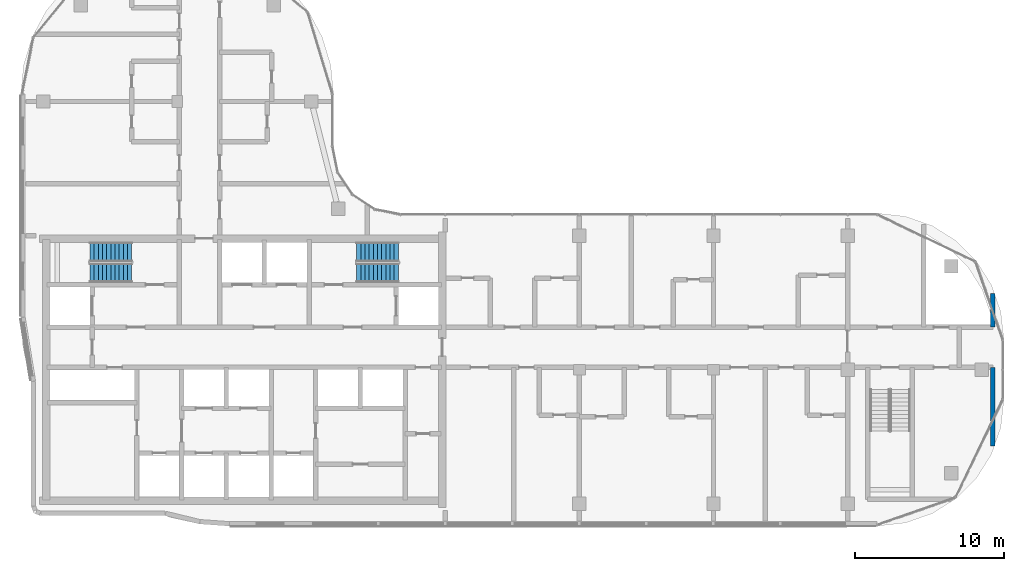
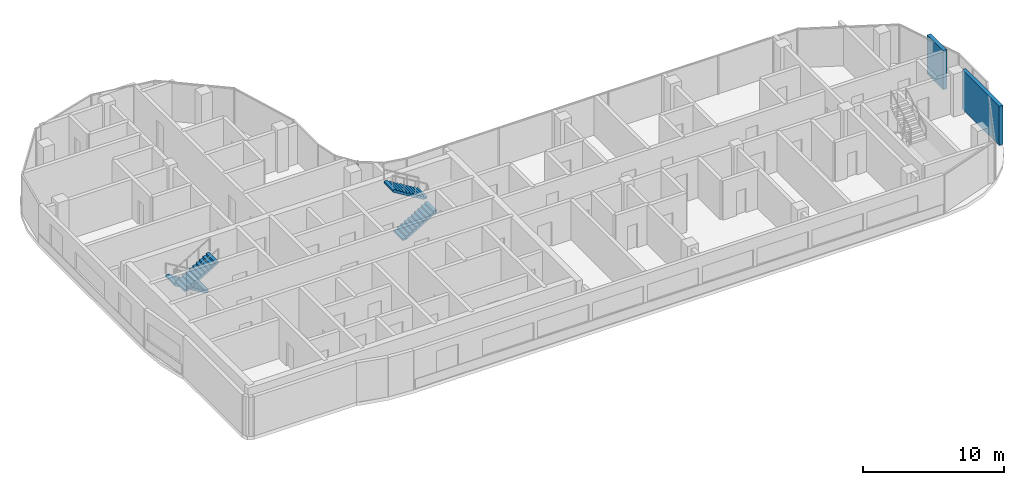
# One storey, part 14 of 19: 4 stair flights, 2 walls, 2 elements without a shape of their own.
"""IFC4 building model written with IfcOpenShell, lengths in metres."""

from ifc_helpers import new_model, si_unit, direction, frame, frame_2d, origin, place, context, subcontext, project, spatial, rectangle, extrude, triangles, source, transform, mapped, material, layer, layer_set, type_object, element, aggregate, save


model = new_model("IFC4")

# Units and contexts
model_context = context("Model", 3, precision=1e-05, world=origin(), true_north=direction((0.0, 1.0)))
body_context = subcontext(model_context, "Body", "Model", "MODEL_VIEW")
ifc_project = project(units=[si_unit("LENGTHUNIT", "METRE"), si_unit("AREAUNIT", "SQUARE_METRE"), si_unit("VOLUMEUNIT", "CUBIC_METRE"), si_unit("PLANEANGLEUNIT", "RADIAN"), si_unit("MASSUNIT", "GRAM", prefix="KILO")], contexts=[model_context])

# Site, building, storey
site_placement = place(None, origin())
site = spatial("IfcSite", under=ifc_project, at=site_placement, CompositionType="ELEMENT")
building_placement = place(site_placement, origin())
building = spatial("IfcBuilding", under=site, at=building_placement, Name="Ogive Portal Towers", CompositionType="ELEMENT")
storey_placement = place(building_placement, frame((0.0, 0.0, 229.10009765625)))
storey = spatial("IfcBuildingStorey", under=building, at=storey_placement, Name="L57", CompositionType="ELEMENT", Elevation=229.10009765625)

# Walls
ifc_material_1 = material(Name="Gypsum board partition on steel studs", Category="steel")
ifc_layer = layer(ifc_material_1, 0.300048828125)
ifc_layer_set = layer_set([ifc_layer], Name="WT-PART-300-EI 60")
wall_type = type_object("IfcWallType", Name="WT-PART-300-EI 60", PredefinedType="PARTITIONING", material=ifc_layer_set)
wall_1_placement = place(storey_placement, frame((95.25, 25.386962890625, 0.0), z_axis=(0.0, 0.0, 1.0), x_axis=(0.0, 1.0, 0.0)))
element("IfcWall", 1, at=wall_1_placement, inside=storey, type_object=wall_type, Name="Wall L57:w056", PredefinedType="PARTITIONING", context=body_context, shape_type="SweptSolid", body=[
    extrude(rectangle(XDim=5.262939453125, YDim=0.300048828125, at=frame_2d((2.63134765625, 0.0))), origin(), (0.0, 0.0, 1.0), 3.39990234375),
])
wall_2_placement = place(storey_placement, frame((95.25, 33.35009765625, 0.0), z_axis=(0.0, 0.0, 1.0), x_axis=(0.0, 1.0, 0.0)))
element("IfcWall", 2, at=wall_2_placement, inside=storey, type_object=wall_type, Name="Wall L57:w057", PredefinedType="PARTITIONING", context=body_context, shape_type="SweptSolid", body=[
    extrude(rectangle(XDim=2.262939453125, YDim=0.300048828125, at=frame_2d((1.13134765625, 0.0))), origin(), (0.0, 0.0, 1.0), 3.39990234375),
])

# Stair, stair flights
ifc_material_2 = material(Name="Concrete C40/50", Category="concrete")
stair_type = type_object("IfcStairType", Name="INT-STAIR", PredefinedType="HALF_TURN_STAIR", material=ifc_material_2)
stair_1_placement = place(storey_placement, origin())
stair_1 = element("IfcStair", 3, at=stair_1_placement, inside=storey, type_object=stair_type, Name="L57 Exit Stair ST-A1", PredefinedType="HALF_TURN_STAIR")
stair_flight_type = type_object("IfcStairFlightType", Name="INT-FLIGHT", PredefinedType="STRAIGHT", material=ifc_material_2)
shared_shape = source(origin(), body_context, "Body", "Tessellation", [
    triangles([(0.0, -0.650146484375, 0.0), (0.0, -0.376220703125, 0.0), (0.0, -0.192626953125, 0.0), (0.0, -0.081298828125, 0.0), (0.0, -0.024169921875, 0.0), (0.0, -0.003173828125, 0.0), (0.0, 0.0, 0.0), (0.0, 0.0029296875, 0.0), (0.0, 0.02392578125, 0.0), (0.0, 0.0810546875, 0.0), (0.0, 0.1923828125, 0.0), (0.0, 0.3759765625, 0.0), (0.0, 0.64990234375, 0.0), (0.0, -0.650146484375, 0.168212890625), (0.0, -0.376220703125, 0.168212890625), (0.0, -0.192626953125, 0.168212890625), (0.0, -0.081298828125, 0.168212890625), (0.0, -0.024169921875, 0.168212890625), (0.0, -0.003173828125, 0.168212890625), (0.0, 0.0, 0.168212890625), (0.0, 0.0029296875, 0.168212890625), (0.0, 0.02392578125, 0.168212890625), (0.0, 0.0810546875, 0.168212890625), (0.0, 0.1923828125, 0.168212890625), (0.0, 0.3759765625, 0.168212890625), (0.0, 0.64990234375, 0.168212890625), (0.280029296875, -0.650146484375, 0.168212890625), (0.280029296875, -0.376220703125, 0.168212890625), (0.280029296875, -0.192626953125, 0.168212890625), (0.280029296875, -0.081298828125, 0.168212890625), (0.280029296875, -0.024169921875, 0.168212890625), (0.280029296875, -0.003173828125, 0.168212890625), (0.280029296875, 0.0, 0.168212890625), (0.280029296875, 0.0029296875, 0.168212890625), (0.280029296875, 0.02392578125, 0.168212890625), (0.280029296875, 0.0810546875, 0.168212890625), (0.280029296875, 0.1923828125, 0.168212890625), (0.280029296875, 0.3759765625, 0.168212890625), (0.280029296875, 0.64990234375, 0.168212890625), (0.280029296875, -0.650146484375, 0.33642578125), (0.280029296875, -0.376220703125, 0.33642578125), (0.280029296875, -0.192626953125, 0.33642578125), (0.280029296875, -0.081298828125, 0.33642578125), (0.280029296875, -0.024169921875, 0.33642578125), (0.280029296875, -0.003173828125, 0.33642578125), (0.280029296875, 0.0, 0.33642578125), (0.280029296875, 0.0029296875, 0.33642578125), (0.280029296875, 0.02392578125, 0.33642578125), (0.280029296875, 0.0810546875, 0.33642578125), (0.280029296875, 0.1923828125, 0.33642578125), (0.280029296875, 0.3759765625, 0.33642578125), (0.280029296875, 0.64990234375, 0.33642578125), (0.56005859375, -0.650146484375, 0.33642578125), (0.56005859375, -0.376220703125, 0.33642578125), (0.56005859375, -0.192626953125, 0.33642578125), (0.56005859375, -0.081298828125, 0.33642578125), (0.56005859375, -0.024169921875, 0.33642578125), (0.56005859375, -0.003173828125, 0.33642578125), (0.56005859375, 0.0, 0.33642578125), (0.56005859375, 0.0029296875, 0.33642578125), (0.56005859375, 0.02392578125, 0.33642578125), (0.56005859375, 0.0810546875, 0.33642578125), (0.56005859375, 0.1923828125, 0.33642578125), (0.56005859375, 0.3759765625, 0.33642578125), (0.56005859375, 0.64990234375, 0.33642578125), (0.56005859375, -0.650146484375, 0.504638671875), (0.56005859375, -0.376220703125, 0.504638671875), (0.56005859375, -0.192626953125, 0.504638671875), (0.56005859375, -0.081298828125, 0.504638671875), (0.56005859375, -0.024169921875, 0.504638671875), (0.56005859375, -0.003173828125, 0.504638671875), (0.56005859375, 0.0, 0.504638671875), (0.56005859375, 0.0029296875, 0.504638671875), (0.56005859375, 0.02392578125, 0.504638671875), (0.56005859375, 0.0810546875, 0.504638671875), (0.56005859375, 0.1923828125, 0.504638671875), (0.56005859375, 0.3759765625, 0.504638671875), (0.56005859375, 0.64990234375, 0.504638671875), (0.840087890625, -0.650146484375, 0.504638671875), (0.840087890625, -0.376220703125, 0.504638671875), (0.840087890625, -0.192626953125, 0.504638671875), (0.840087890625, -0.081298828125, 0.504638671875), (0.840087890625, -0.024169921875, 0.504638671875), (0.840087890625, -0.003173828125, 0.504638671875), (0.840087890625, 0.0, 0.504638671875), (0.840087890625, 0.0029296875, 0.504638671875), (0.840087890625, 0.02392578125, 0.504638671875), (0.840087890625, 0.0810546875, 0.504638671875), (0.840087890625, 0.1923828125, 0.504638671875), (0.840087890625, 0.3759765625, 0.504638671875), (0.840087890625, 0.64990234375, 0.504638671875), (0.840087890625, -0.650146484375, 0.672607421875), (0.840087890625, -0.376220703125, 0.672607421875), (0.840087890625, -0.192626953125, 0.672607421875), (0.840087890625, -0.081298828125, 0.672607421875), (0.840087890625, -0.024169921875, 0.672607421875), (0.840087890625, -0.003173828125, 0.672607421875), (0.840087890625, 0.0, 0.672607421875), (0.840087890625, 0.0029296875, 0.672607421875), (0.840087890625, 0.02392578125, 0.672607421875), (0.840087890625, 0.0810546875, 0.672607421875), (0.840087890625, 0.1923828125, 0.672607421875), (0.840087890625, 0.3759765625, 0.672607421875), (0.840087890625, 0.64990234375, 0.672607421875), (1.1201171875, -0.650146484375, 0.672607421875), (1.1201171875, -0.376220703125, 0.672607421875), (1.1201171875, -0.192626953125, 0.672607421875), (1.1201171875, -0.081298828125, 0.672607421875), (1.1201171875, -0.024169921875, 0.672607421875), (1.1201171875, -0.003173828125, 0.672607421875), (1.1201171875, 0.0, 0.672607421875), (1.1201171875, 0.0029296875, 0.672607421875), (1.1201171875, 0.02392578125, 0.672607421875), (1.1201171875, 0.0810546875, 0.672607421875), (1.1201171875, 0.1923828125, 0.672607421875), (1.1201171875, 0.3759765625, 0.672607421875), (1.1201171875, 0.64990234375, 0.672607421875), (1.1201171875, -0.650146484375, 0.8408203125), (1.1201171875, -0.376220703125, 0.8408203125), (1.1201171875, -0.192626953125, 0.8408203125), (1.1201171875, -0.081298828125, 0.8408203125), (1.1201171875, -0.024169921875, 0.8408203125), (1.1201171875, -0.003173828125, 0.8408203125), (1.1201171875, 0.0, 0.8408203125), (1.1201171875, 0.0029296875, 0.8408203125), (1.1201171875, 0.02392578125, 0.8408203125), (1.1201171875, 0.0810546875, 0.8408203125), (1.1201171875, 0.1923828125, 0.8408203125), (1.1201171875, 0.3759765625, 0.8408203125), (1.1201171875, 0.64990234375, 0.8408203125), (1.39990234375, -0.650146484375, 0.8408203125), (1.39990234375, -0.376220703125, 0.8408203125), (1.39990234375, -0.192626953125, 0.8408203125), (1.39990234375, -0.081298828125, 0.8408203125), (1.39990234375, -0.024169921875, 0.8408203125), (1.39990234375, -0.003173828125, 0.8408203125), (1.39990234375, 0.0, 0.8408203125), (1.39990234375, 0.0029296875, 0.8408203125), (1.39990234375, 0.02392578125, 0.8408203125), (1.39990234375, 0.0810546875, 0.8408203125), (1.39990234375, 0.1923828125, 0.8408203125), (1.39990234375, 0.3759765625, 0.8408203125), (1.39990234375, 0.64990234375, 0.8408203125), (1.39990234375, -0.650146484375, 1.009033203125), (1.39990234375, -0.376220703125, 1.009033203125), (1.39990234375, -0.192626953125, 1.009033203125), (1.39990234375, -0.081298828125, 1.009033203125), (1.39990234375, -0.024169921875, 1.009033203125), (1.39990234375, -0.003173828125, 1.009033203125), (1.39990234375, 0.0, 1.009033203125), (1.39990234375, 0.0029296875, 1.009033203125), (1.39990234375, 0.02392578125, 1.009033203125), (1.39990234375, 0.0810546875, 1.009033203125), (1.39990234375, 0.1923828125, 1.009033203125), (1.39990234375, 0.3759765625, 1.009033203125), (1.39990234375, 0.64990234375, 1.009033203125), (1.679931640625, -0.650146484375, 1.009033203125), (1.679931640625, -0.376220703125, 1.009033203125), (1.679931640625, -0.192626953125, 1.009033203125), (1.679931640625, -0.081298828125, 1.009033203125), (1.679931640625, -0.024169921875, 1.009033203125), (1.679931640625, -0.003173828125, 1.009033203125), (1.679931640625, 0.0, 1.009033203125), (1.679931640625, 0.0029296875, 1.009033203125), (1.679931640625, 0.02392578125, 1.009033203125), (1.679931640625, 0.0810546875, 1.009033203125), (1.679931640625, 0.1923828125, 1.009033203125), (1.679931640625, 0.3759765625, 1.009033203125), (1.679931640625, 0.64990234375, 1.009033203125), (1.679931640625, -0.650146484375, 1.17724609375), (1.679931640625, -0.376220703125, 1.17724609375), (1.679931640625, -0.192626953125, 1.17724609375), (1.679931640625, -0.081298828125, 1.17724609375), (1.679931640625, -0.024169921875, 1.17724609375), (1.679931640625, -0.003173828125, 1.17724609375), (1.679931640625, 0.0, 1.17724609375), (1.679931640625, 0.0029296875, 1.17724609375), (1.679931640625, 0.02392578125, 1.17724609375), (1.679931640625, 0.0810546875, 1.17724609375), (1.679931640625, 0.1923828125, 1.17724609375), (1.679931640625, 0.3759765625, 1.17724609375), (1.679931640625, 0.64990234375, 1.17724609375), (1.9599609375, -0.650146484375, 1.17724609375), (1.9599609375, -0.376220703125, 1.17724609375), (1.9599609375, -0.192626953125, 1.17724609375), (1.9599609375, -0.081298828125, 1.17724609375), (1.9599609375, -0.024169921875, 1.17724609375), (1.9599609375, -0.003173828125, 1.17724609375), (1.9599609375, 0.0, 1.17724609375), (1.9599609375, 0.0029296875, 1.17724609375), (1.9599609375, 0.02392578125, 1.17724609375), (1.9599609375, 0.0810546875, 1.17724609375), (1.9599609375, 0.1923828125, 1.17724609375), (1.9599609375, 0.3759765625, 1.17724609375), (1.9599609375, 0.64990234375, 1.17724609375), (1.9599609375, -0.650146484375, 1.345458984375), (1.9599609375, -0.376220703125, 1.345458984375), (1.9599609375, -0.192626953125, 1.345458984375), (1.9599609375, -0.081298828125, 1.345458984375), (1.9599609375, -0.024169921875, 1.345458984375), (1.9599609375, -0.003173828125, 1.345458984375), (1.9599609375, 0.0, 1.345458984375), (1.9599609375, 0.0029296875, 1.345458984375), (1.9599609375, 0.02392578125, 1.345458984375), (1.9599609375, 0.0810546875, 1.345458984375), (1.9599609375, 0.1923828125, 1.345458984375), (1.9599609375, 0.3759765625, 1.345458984375), (1.9599609375, 0.64990234375, 1.345458984375), (2.239990234375, -0.650146484375, 1.345458984375), (2.239990234375, -0.376220703125, 1.345458984375), (2.239990234375, -0.192626953125, 1.345458984375), (2.239990234375, -0.081298828125, 1.345458984375), (2.239990234375, -0.024169921875, 1.345458984375), (2.239990234375, -0.003173828125, 1.345458984375), (2.239990234375, 0.0, 1.345458984375), (2.239990234375, 0.0029296875, 1.345458984375), (2.239990234375, 0.02392578125, 1.345458984375), (2.239990234375, 0.0810546875, 1.345458984375), (2.239990234375, 0.1923828125, 1.345458984375), (2.239990234375, 0.3759765625, 1.345458984375), (2.239990234375, 0.64990234375, 1.345458984375), (2.239990234375, -0.650146484375, 1.513671875), (2.239990234375, -0.376220703125, 1.513671875), (2.239990234375, -0.192626953125, 1.513671875), (2.239990234375, -0.081298828125, 1.513671875), (2.239990234375, -0.024169921875, 1.513671875), (2.239990234375, -0.003173828125, 1.513671875), (2.239990234375, 0.0, 1.513671875), (2.239990234375, 0.0029296875, 1.513671875), (2.239990234375, 0.02392578125, 1.513671875), (2.239990234375, 0.0810546875, 1.513671875), (2.239990234375, 0.1923828125, 1.513671875), (2.239990234375, 0.3759765625, 1.513671875), (2.239990234375, 0.64990234375, 1.513671875), (2.52001953125, -0.650146484375, 1.513671875), (2.52001953125, -0.376220703125, 1.513671875), (2.52001953125, -0.192626953125, 1.513671875), (2.52001953125, -0.081298828125, 1.513671875), (2.52001953125, -0.024169921875, 1.513671875), (2.52001953125, -0.003173828125, 1.513671875), (2.52001953125, 0.0, 1.513671875), (2.52001953125, 0.0029296875, 1.513671875), (2.52001953125, 0.02392578125, 1.513671875), (2.52001953125, 0.0810546875, 1.513671875), (2.52001953125, 0.1923828125, 1.513671875), (2.52001953125, 0.3759765625, 1.513671875), (2.52001953125, 0.64990234375, 1.513671875), (2.52001953125, -0.650146484375, 1.681884765625), (2.52001953125, -0.376220703125, 1.681884765625), (2.52001953125, -0.192626953125, 1.681884765625), (2.52001953125, -0.081298828125, 1.681884765625), (2.52001953125, -0.024169921875, 1.681884765625), (2.52001953125, -0.003173828125, 1.681884765625), (2.52001953125, 0.0, 1.681884765625), (2.52001953125, 0.0029296875, 1.681884765625), (2.52001953125, 0.02392578125, 1.681884765625), (2.52001953125, 0.0810546875, 1.681884765625), (2.52001953125, 0.1923828125, 1.681884765625), (2.52001953125, 0.3759765625, 1.681884765625), (2.52001953125, 0.64990234375, 1.681884765625), (2.800048828125, -0.650146484375, 1.681884765625), (2.800048828125, -0.376220703125, 1.681884765625), (2.800048828125, -0.192626953125, 1.681884765625), (2.800048828125, -0.081298828125, 1.681884765625), (2.800048828125, -0.024169921875, 1.681884765625), (2.800048828125, -0.003173828125, 1.681884765625), (2.800048828125, 0.0, 1.681884765625), (2.800048828125, 0.0029296875, 1.681884765625), (2.800048828125, 0.02392578125, 1.681884765625), (2.800048828125, 0.0810546875, 1.681884765625), (2.800048828125, 0.1923828125, 1.681884765625), (2.800048828125, 0.3759765625, 1.681884765625), (2.800048828125, 0.64990234375, 1.681884765625), (2.800048828125, -0.650146484375, 1.5068359375), (2.800048828125, -0.376220703125, 1.5068359375), (2.800048828125, -0.192626953125, 1.5068359375), (2.800048828125, -0.081298828125, 1.5068359375), (2.800048828125, -0.024169921875, 1.5068359375), (2.800048828125, -0.003173828125, 1.5068359375), (2.800048828125, 0.0, 1.5068359375), (2.800048828125, 0.0029296875, 1.5068359375), (2.800048828125, 0.02392578125, 1.5068359375), (2.800048828125, 0.0810546875, 1.5068359375), (2.800048828125, 0.1923828125, 1.5068359375), (2.800048828125, 0.3759765625, 1.5068359375), (2.800048828125, 0.64990234375, 1.5068359375), (0.291015625, -0.650146484375, 0.0), (0.291015625, -0.376220703125, 0.0), (0.291015625, -0.192626953125, 0.0), (0.291015625, -0.081298828125, 0.0), (0.291015625, -0.024169921875, 0.0), (0.291015625, -0.003173828125, 0.0), (0.291015625, 0.0, 0.0), (0.291015625, 0.0029296875, 0.0), (0.291015625, 0.02392578125, 0.0), (0.291015625, 0.0810546875, 0.0), (0.291015625, 0.1923828125, 0.0), (0.291015625, 0.3759765625, 0.0), (0.291015625, 0.64990234375, 0.0)], [[1, 14, 15], [1, 15, 2], [2, 15, 16], [2, 16, 3], [3, 16, 17], [3, 17, 4], [4, 17, 18], [4, 18, 5], [5, 18, 19], [5, 19, 6], [6, 19, 20], [6, 20, 7], [7, 20, 21], [7, 21, 8], [8, 21, 22], [8, 22, 9], [9, 22, 23], [9, 23, 10], [10, 23, 24], [10, 24, 11], [11, 24, 25], [11, 25, 12], [12, 25, 26], [12, 26, 13], [14, 27, 28], [14, 28, 15], [15, 28, 29], [15, 29, 16], [16, 29, 30], [16, 30, 17], [17, 30, 31], [17, 31, 18], [18, 31, 32], [18, 32, 19], [19, 32, 33], [19, 33, 20], [20, 33, 34], [20, 34, 21], [21, 34, 35], [21, 35, 22], [22, 35, 36], [22, 36, 23], [23, 36, 37], [23, 37, 24], [24, 37, 38], [24, 38, 25], [25, 38, 39], [25, 39, 26], [27, 40, 41], [27, 41, 28], [28, 41, 42], [28, 42, 29], [29, 42, 43], [29, 43, 30], [30, 43, 44], [30, 44, 31], [31, 44, 45], [31, 45, 32], [32, 45, 46], [32, 46, 33], [33, 46, 47], [33, 47, 34], [34, 47, 48], [34, 48, 35], [35, 48, 49], [35, 49, 36], [36, 49, 50], [36, 50, 37], [37, 50, 51], [37, 51, 38], [38, 51, 52], [38, 52, 39], [40, 53, 54], [40, 54, 41], [41, 54, 55], [41, 55, 42], [42, 55, 56], [42, 56, 43], [43, 56, 57], [43, 57, 44], [44, 57, 58], [44, 58, 45], [45, 58, 59], [45, 59, 46], [46, 59, 60], [46, 60, 47], [47, 60, 61], [47, 61, 48], [48, 61, 62], [48, 62, 49], [49, 62, 63], [49, 63, 50], [50, 63, 64], [50, 64, 51], [51, 64, 65], [51, 65, 52], [53, 66, 67], [53, 67, 54], [54, 67, 68], [54, 68, 55], [55, 68, 69], [55, 69, 56], [56, 69, 70], [56, 70, 57], [57, 70, 71], [57, 71, 58], [58, 71, 72], [58, 72, 59], [59, 72, 73], [59, 73, 60], [60, 73, 74], [60, 74, 61], [61, 74, 75], [61, 75, 62], [62, 75, 76], [62, 76, 63], [63, 76, 77], [63, 77, 64], [64, 77, 78], [64, 78, 65], [66, 79, 80], [66, 80, 67], [67, 80, 81], [67, 81, 68], [68, 81, 82], [68, 82, 69], [69, 82, 83], [69, 83, 70], [70, 83, 84], [70, 84, 71], [71, 84, 85], [71, 85, 72], [72, 85, 86], [72, 86, 73], [73, 86, 87], [73, 87, 74], [74, 87, 88], [74, 88, 75], [75, 88, 89], [75, 89, 76], [76, 89, 90], [76, 90, 77], [77, 90, 91], [77, 91, 78], [79, 92, 93], [79, 93, 80], [80, 93, 94], [80, 94, 81], [81, 94, 95], [81, 95, 82], [82, 95, 96], [82, 96, 83], [83, 96, 97], [83, 97, 84], [84, 97, 98], [84, 98, 85], [85, 98, 99], [85, 99, 86], [86, 99, 100], [86, 100, 87], [87, 100, 101], [87, 101, 88], [88, 101, 102], [88, 102, 89], [89, 102, 103], [89, 103, 90], [90, 103, 104], [90, 104, 91], [92, 105, 106], [92, 106, 93], [93, 106, 107], [93, 107, 94], [94, 107, 108], [94, 108, 95], [95, 108, 109], [95, 109, 96], [96, 109, 110], [96, 110, 97], [97, 110, 111], [97, 111, 98], [98, 111, 112], [98, 112, 99], [99, 112, 113], [99, 113, 100], [100, 113, 114], [100, 114, 101], [101, 114, 115], [101, 115, 102], [102, 115, 116], [102, 116, 103], [103, 116, 117], [103, 117, 104], [105, 118, 119], [105, 119, 106], [106, 119, 120], [106, 120, 107], [107, 120, 121], [107, 121, 108], [108, 121, 122], [108, 122, 109], [109, 122, 123], [109, 123, 110], [110, 123, 124], [110, 124, 111], [111, 124, 125], [111, 125, 112], [112, 125, 126], [112, 126, 113], [113, 126, 127], [113, 127, 114], [114, 127, 128], [114, 128, 115], [115, 128, 129], [115, 129, 116], [116, 129, 130], [116, 130, 117], [118, 131, 132], [118, 132, 119], [119, 132, 133], [119, 133, 120], [120, 133, 134], [120, 134, 121], [121, 134, 135], [121, 135, 122], [122, 135, 136], [122, 136, 123], [123, 136, 137], [123, 137, 124], [124, 137, 138], [124, 138, 125], [125, 138, 139], [125, 139, 126], [126, 139, 140], [126, 140, 127], [127, 140, 141], [127, 141, 128], [128, 141, 142], [128, 142, 129], [129, 142, 143], [129, 143, 130], [131, 144, 145], [131, 145, 132], [132, 145, 146], [132, 146, 133], [133, 146, 147], [133, 147, 134], [134, 147, 148], [134, 148, 135], [135, 148, 149], [135, 149, 136], [136, 149, 150], [136, 150, 137], [137, 150, 151], [137, 151, 138], [138, 151, 152], [138, 152, 139], [139, 152, 153], [139, 153, 140], [140, 153, 154], [140, 154, 141], [141, 154, 155], [141, 155, 142], [142, 155, 156], [142, 156, 143], [144, 157, 158], [144, 158, 145], [145, 158, 159], [145, 159, 146], [146, 159, 160], [146, 160, 147], [147, 160, 161], [147, 161, 148], [148, 161, 162], [148, 162, 149], [149, 162, 163], [149, 163, 150], [150, 163, 164], [150, 164, 151], [151, 164, 165], [151, 165, 152], [152, 165, 166], [152, 166, 153], [153, 166, 167], [153, 167, 154], [154, 167, 168], [154, 168, 155], [155, 168, 169], [155, 169, 156], [157, 170, 171], [157, 171, 158], [158, 171, 172], [158, 172, 159], [159, 172, 173], [159, 173, 160], [160, 173, 174], [160, 174, 161], [161, 174, 175], [161, 175, 162], [162, 175, 176], [162, 176, 163], [163, 176, 177], [163, 177, 164], [164, 177, 178], [164, 178, 165], [165, 178, 179], [165, 179, 166], [166, 179, 180], [166, 180, 167], [167, 180, 181], [167, 181, 168], [168, 181, 182], [168, 182, 169], [170, 183, 184], [170, 184, 171], [171, 184, 185], [171, 185, 172], [172, 185, 186], [172, 186, 173], [173, 186, 187], [173, 187, 174], [174, 187, 188], [174, 188, 175], [175, 188, 189], [175, 189, 176], [176, 189, 190], [176, 190, 177], [177, 190, 191], [177, 191, 178], [178, 191, 192], [178, 192, 179], [179, 192, 193], [179, 193, 180], [180, 193, 194], [180, 194, 181], [181, 194, 195], [181, 195, 182], [183, 196, 197], [183, 197, 184], [184, 197, 198], [184, 198, 185], [185, 198, 199], [185, 199, 186], [186, 199, 200], [186, 200, 187], [187, 200, 201], [187, 201, 188], [188, 201, 202], [188, 202, 189], [189, 202, 203], [189, 203, 190], [190, 203, 204], [190, 204, 191], [191, 204, 205], [191, 205, 192], [192, 205, 206], [192, 206, 193], [193, 206, 207], [193, 207, 194], [194, 207, 208], [194, 208, 195], [196, 209, 210], [196, 210, 197], [197, 210, 211], [197, 211, 198], [198, 211, 212], [198, 212, 199], [199, 212, 213], [199, 213, 200], [200, 213, 214], [200, 214, 201], [201, 214, 215], [201, 215, 202], [202, 215, 216], [202, 216, 203], [203, 216, 217], [203, 217, 204], [204, 217, 218], [204, 218, 205], [205, 218, 219], [205, 219, 206], [206, 219, 220], [206, 220, 207], [207, 220, 221], [207, 221, 208], [209, 222, 223], [209, 223, 210], [210, 223, 224], [210, 224, 211], [211, 224, 225], [211, 225, 212], [212, 225, 226], [212, 226, 213], [213, 226, 227], [213, 227, 214], [214, 227, 228], [214, 228, 215], [215, 228, 229], [215, 229, 216], [216, 229, 230], [216, 230, 217], [217, 230, 231], [217, 231, 218], [218, 231, 232], [218, 232, 219], [219, 232, 233], [219, 233, 220], [220, 233, 234], [220, 234, 221], [222, 235, 236], [222, 236, 223], [223, 236, 237], [223, 237, 224], [224, 237, 238], [224, 238, 225], [225, 238, 239], [225, 239, 226], [226, 239, 240], [226, 240, 227], [227, 240, 241], [227, 241, 228], [228, 241, 242], [228, 242, 229], [229, 242, 243], [229, 243, 230], [230, 243, 244], [230, 244, 231], [231, 244, 245], [231, 245, 232], [232, 245, 246], [232, 246, 233], [233, 246, 247], [233, 247, 234], [235, 248, 249], [235, 249, 236], [236, 249, 250], [236, 250, 237], [237, 250, 251], [237, 251, 238], [238, 251, 252], [238, 252, 239], [239, 252, 253], [239, 253, 240], [240, 253, 254], [240, 254, 241], [241, 254, 255], [241, 255, 242], [242, 255, 256], [242, 256, 243], [243, 256, 257], [243, 257, 244], [244, 257, 258], [244, 258, 245], [245, 258, 259], [245, 259, 246], [246, 259, 260], [246, 260, 247], [248, 261, 262], [248, 262, 249], [249, 262, 263], [249, 263, 250], [250, 263, 264], [250, 264, 251], [251, 264, 265], [251, 265, 252], [252, 265, 266], [252, 266, 253], [253, 266, 267], [253, 267, 254], [254, 267, 268], [254, 268, 255], [255, 268, 269], [255, 269, 256], [256, 269, 270], [256, 270, 257], [257, 270, 271], [257, 271, 258], [258, 271, 272], [258, 272, 259], [259, 272, 273], [259, 273, 260], [261, 274, 275], [261, 275, 262], [262, 275, 276], [262, 276, 263], [263, 276, 277], [263, 277, 264], [264, 277, 278], [264, 278, 265], [265, 278, 279], [265, 279, 266], [266, 279, 280], [266, 280, 267], [267, 280, 281], [267, 281, 268], [268, 281, 282], [268, 282, 269], [269, 282, 283], [269, 283, 270], [270, 283, 284], [270, 284, 271], [271, 284, 285], [271, 285, 272], [272, 285, 286], [272, 286, 273], [274, 287, 288], [274, 288, 275], [275, 288, 289], [275, 289, 276], [276, 289, 290], [276, 290, 277], [277, 290, 291], [277, 291, 278], [278, 291, 292], [278, 292, 279], [279, 292, 293], [279, 293, 280], [280, 293, 294], [280, 294, 281], [281, 294, 295], [281, 295, 282], [282, 295, 296], [282, 296, 283], [283, 296, 297], [283, 297, 284], [284, 297, 298], [284, 298, 285], [285, 298, 299], [285, 299, 286], [287, 1, 2], [287, 2, 288], [288, 2, 3], [288, 3, 289], [289, 3, 4], [289, 4, 290], [290, 4, 5], [290, 5, 291], [291, 5, 6], [291, 6, 292], [292, 6, 7], [292, 7, 293], [293, 7, 8], [293, 8, 294], [294, 8, 9], [294, 9, 295], [295, 9, 10], [295, 10, 296], [296, 10, 11], [296, 11, 297], [297, 11, 12], [297, 12, 298], [298, 12, 13], [298, 13, 299], [1, 287, 274], [13, 286, 299], [274, 261, 248], [286, 260, 273], [274, 248, 235], [286, 247, 260], [274, 235, 222], [286, 234, 247], [274, 222, 209], [286, 221, 234], [209, 196, 183], [221, 195, 208], [274, 209, 183], [286, 195, 221], [183, 170, 157], [195, 169, 182], [274, 183, 157], [286, 169, 195], [157, 144, 131], [169, 143, 156], [274, 157, 131], [286, 143, 169], [131, 118, 105], [143, 117, 130], [274, 131, 105], [286, 117, 143], [1, 274, 105], [13, 117, 286], [105, 92, 79], [117, 91, 104], [79, 66, 53], [91, 65, 78], [105, 79, 53], [117, 65, 91], [53, 40, 27], [65, 39, 52], [105, 53, 27], [117, 39, 65], [1, 105, 27], [13, 39, 117], [27, 14, 1], [39, 13, 26]], closed=True),
])
stair_flight_1_placement = place(storey_placement, frame((37.449951171875, 38.39990234375, 0.0), z_axis=(0.0, 0.0, 1.0), x_axis=(-1.0, 0.0, 0.0)))
stair_flight_1 = element("IfcStairFlight", 4, at=stair_flight_1_placement, type_object=stair_flight_type, Name="ST-A1 flight 1", NumberOfRisers=11, NumberOfTreads=10, PredefinedType="STRAIGHT", RiserHeight=0.168181818, TreadLength=0.28, context=body_context, shape_type="MappedRepresentation", body=[
    mapped(shared_shape, transform((0.0, 0.0, 0.0), scale=1.0)),
])
stair_flight_2_placement = place(storey_placement, frame((34.64990234375, 37.0, 1.849853515625), z_axis=(0.0, 0.0, 1.0), x_axis=(1.0, 0.0, 0.0)))
stair_flight_2 = element("IfcStairFlight", 5, at=stair_flight_2_placement, type_object=stair_flight_type, Name="ST-A1 flight 2", NumberOfRisers=11, NumberOfTreads=10, PredefinedType="STRAIGHT", RiserHeight=0.168181818, TreadLength=0.28, context=body_context, shape_type="MappedRepresentation", body=[
    mapped(shared_shape, transform((0.0, 0.0, 0.0), scale=1.0)),
])
aggregate(stair_1, [stair_flight_1, stair_flight_2])

stair_2_placement = place(storey_placement, origin())
stair_2 = element("IfcStair", 6, at=stair_2_placement, inside=storey, type_object=stair_type, Name="L57 Exit Stair ST-A2", PredefinedType="HALF_TURN_STAIR")
stair_flight_3_placement = place(storey_placement, frame((52.550048828125, 37.0, 0.0), z_axis=(0.0, 0.0, 1.0), x_axis=(1.0, 0.0, 0.0)))
stair_flight_3 = element("IfcStairFlight", 7, at=stair_flight_3_placement, type_object=stair_flight_type, Name="ST-A2 flight 1", NumberOfRisers=11, NumberOfTreads=10, PredefinedType="STRAIGHT", RiserHeight=0.168181818, TreadLength=0.28, context=body_context, shape_type="MappedRepresentation", body=[
    mapped(shared_shape, transform((0.0, 0.0, 0.0), scale=1.0)),
])
stair_flight_4_placement = place(storey_placement, frame((55.35009765625, 38.39990234375, 1.849853515625), z_axis=(0.0, 0.0, 1.0), x_axis=(-1.0, 0.0, 0.0)))
stair_flight_4 = element("IfcStairFlight", 8, at=stair_flight_4_placement, type_object=stair_flight_type, Name="ST-A2 flight 2", NumberOfRisers=11, NumberOfTreads=10, PredefinedType="STRAIGHT", RiserHeight=0.168181818, TreadLength=0.28, context=body_context, shape_type="MappedRepresentation", body=[
    mapped(shared_shape, transform((0.0, 0.0, 0.0), scale=1.0)),
])
aggregate(stair_2, [stair_flight_3, stair_flight_4])

save(model, "model.ifc")
